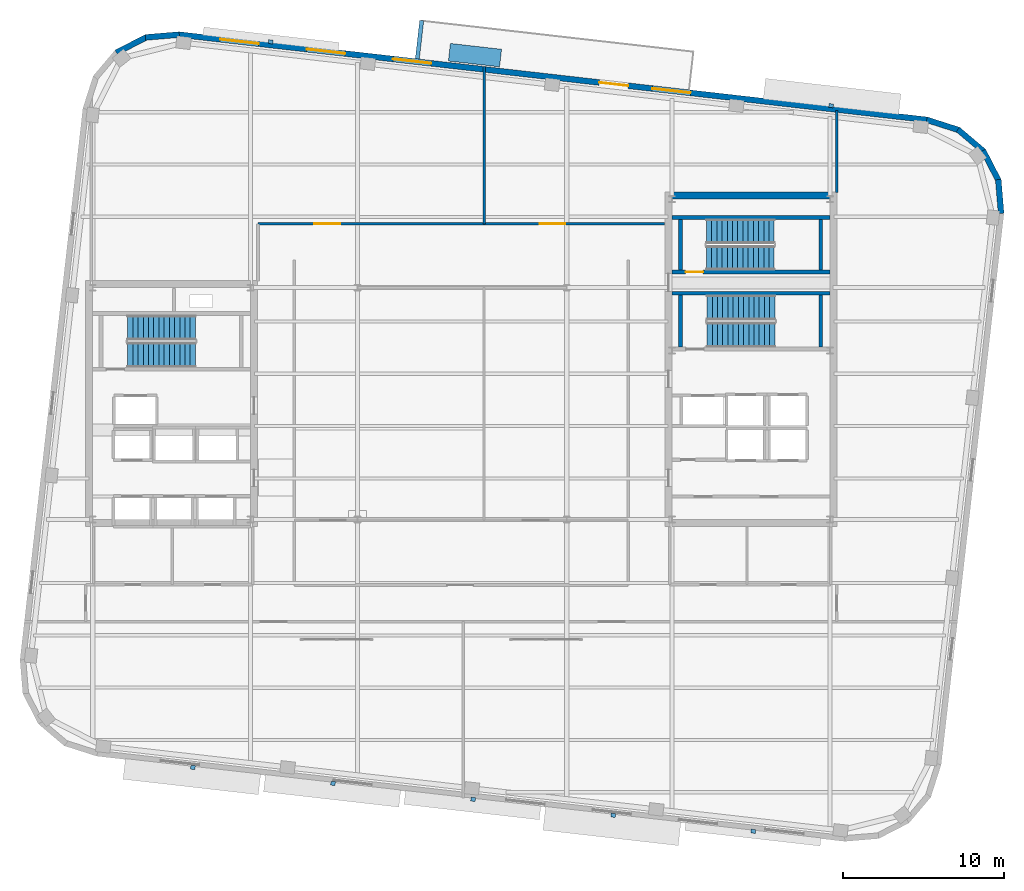
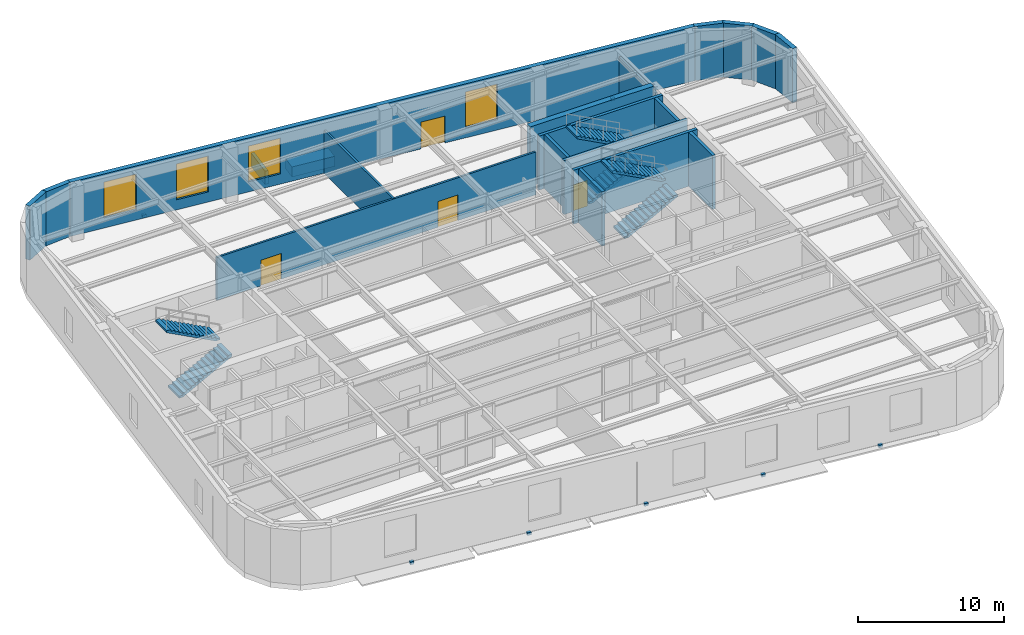
# One storey, part 10 of 15: 19 walls, 8 discrete accessories, 6 stair flights, 4 doors, 4 windows, 8 openings, 3 elements without a shape of their own.
"""IFC4 building model written with IfcOpenShell, lengths in metres."""

import ifcopenshell
import ifcopenshell.guid

model = None  # the IFC model being written
_history = None  # IfcOwnerHistory: only IFC2X3 demands one
_inside = {}  # id of a spatial element -> (the spatial element, [elements in it])
_under = {}  # id of a project, library or spatial element -> (it, [spatial elements below it])
_declared = {}  # id of a project -> (the project, [libraries it declares])
_typed = {}  # id of a type object -> (the type object, [elements of that type])
_made_of = {}  # id of a material, layer set ... -> (it, [elements and type objects made of it])


def new_model(schema):
    """Start an empty IFC model of exactly this schema.

    Asked for "IFC4X3", IfcOpenShell would pick the latest addendum, in which some entities
    have other attributes; the version numbers below select the first issue.
    IFC2X3 requires an IfcOwnerHistory on every rooted entity: one is made here for all.
    """
    global model, _history
    if schema == "IFC4X3":
        model = ifcopenshell.file(schema_version=(4, 3, 0, 0))
    else:
        model = ifcopenshell.file(schema=schema)
    _inside.clear()
    _under.clear()
    _declared.clear()
    _typed.clear()
    _made_of.clear()
    _history = None
    if model.schema == "IFC2X3":
        org = make("IfcOrganization", Name="unknown")
        user = make(
            "IfcPersonAndOrganization",
            ThePerson=make("IfcPerson", FamilyName="unknown"),
            TheOrganization=org,
        )
        app = make(
            "IfcApplication",
            ApplicationDeveloper=org,
            Version="unknown",
            ApplicationFullName="unknown",
            ApplicationIdentifier="unknown",
        )
        _history = make(
            "IfcOwnerHistory",
            OwningUser=user,
            OwningApplication=app,
            ChangeAction="ADDED",
            CreationDate=0,
        )
    return model


def make(cls, **values):
    """One entity of the class cls with the attributes given. An attribute that is None is left unset."""
    return model.create_entity(
        cls, **{name: value for name, value in values.items() if value is not None}
    )


def rooted(cls, **values):
    """An entity with a GlobalId (a new one), such as an element, a storey or a relation."""
    return make(cls, GlobalId=ifcopenshell.guid.new(), OwnerHistory=_history, **values)


def si_unit(unit_type, name, prefix=None):
    """IfcSIUnit, for example si_unit("LENGTHUNIT", "METRE", prefix="MILLI")."""
    return make("IfcSIUnit", UnitType=unit_type, Prefix=prefix, Name=name)


def assignment(units):
    """IfcUnitAssignment: the units of a project."""
    return None if units is None else make("IfcUnitAssignment", Units=units)


def point(xyz):
    """IfcCartesianPoint."""
    return None if xyz is None else make("IfcCartesianPoint", Coordinates=xyz)


def direction(xyz):
    """IfcDirection."""
    return None if xyz is None else make("IfcDirection", DirectionRatios=xyz)


def frame(location, z_axis=None, x_axis=None):
    """IfcAxis2Placement3D, a coordinate frame: its origin and axes. An axis left out is left unset."""
    return make(
        "IfcAxis2Placement3D",
        Location=point(location),
        Axis=direction(z_axis),
        RefDirection=direction(x_axis),
    )


def frame_2d(location, x_axis=None):
    """IfcAxis2Placement2D, a coordinate frame in the plane: its origin and x axis."""
    return make(
        "IfcAxis2Placement2D", Location=point(location), RefDirection=direction(x_axis)
    )


def origin():
    """The frame at (0, 0, 0) with its axes left unset."""
    return frame((0.0, 0.0, 0.0))


def origin_2d():
    """The frame at (0, 0) in the plane with its x axis left unset."""
    return frame_2d((0.0, 0.0))


def place(relative_to, where):
    """IfcLocalPlacement: puts the frame where relative to a parent placement (None: the world)."""
    return make(
        "IfcLocalPlacement", PlacementRelTo=relative_to, RelativePlacement=where
    )


def context(
    kind, dimensions, precision=None, world=None, true_north=None, identifier=None
):
    """IfcGeometricRepresentationContext, for example the 3D "Model" context."""
    return make(
        "IfcGeometricRepresentationContext",
        ContextIdentifier=identifier,
        ContextType=kind,
        CoordinateSpaceDimension=dimensions,
        Precision=precision,
        WorldCoordinateSystem=world,
        TrueNorth=true_north,
    )


def subcontext(parent, identifier, kind, view, scale=None):
    """IfcGeometricRepresentationSubContext, for example "Body" below "Model"."""
    return make(
        "IfcGeometricRepresentationSubContext",
        ContextIdentifier=identifier,
        ContextType=kind,
        ParentContext=parent,
        TargetScale=scale,
        TargetView=view,
    )


def project(units=None, contexts=None):
    """IfcProject with its units and contexts."""
    return rooted(
        "IfcProject",
        Name="project",
        RepresentationContexts=contexts,
        UnitsInContext=assignment(units),
    )


def spatial(cls, under=None, at=None, **own):
    """A site, building, storey or space (cls), placed at a placement, below another one or the project."""
    s = rooted(cls, ObjectPlacement=at, **own)
    if under is not None:
        _under.setdefault(under.id(), (under, []))[1].append(s)
    return s


def polyline(points):
    """IfcPolyline through the points."""
    return make("IfcPolyline", Points=[point(p) for p in points])


def profile(cls, at=None, kind="AREA", **sizes):
    """A parametric profile (cls). Its sizes go by their IFC names, for example OverallWidth=200.0."""
    return make(cls, ProfileType=kind, Position=at, **sizes)


def rectangle(**sizes):
    """IfcRectangleProfileDef."""
    return profile("IfcRectangleProfileDef", **sizes)


def outline(outer, holes=None, kind="AREA"):
    """IfcArbitraryClosedProfileDef: a profile drawn as a closed curve; with holes, ...WithVoids."""
    if holes is None:
        return make("IfcArbitraryClosedProfileDef", ProfileType=kind, OuterCurve=outer)
    return make(
        "IfcArbitraryProfileDefWithVoids",
        ProfileType=kind,
        OuterCurve=outer,
        InnerCurves=holes,
    )


def extrude(swept, where, along, depth):
    """IfcExtrudedAreaSolid: the profile swept, set in the frame where, extruded along a direction by depth."""
    return make(
        "IfcExtrudedAreaSolid",
        SweptArea=swept,
        Position=where,
        ExtrudedDirection=direction(along),
        Depth=depth,
    )


def shape(context_of_items, identifier, shape_type, items):
    """IfcShapeRepresentation: the items that make up one representation, for example the "Body"."""
    return make(
        "IfcShapeRepresentation",
        ContextOfItems=context_of_items,
        RepresentationIdentifier=identifier,
        RepresentationType=shape_type,
        Items=items,
    )


def material(Name=None, Category=None):
    """IfcMaterial."""
    return make("IfcMaterial", Name=Name, Category=Category)


def layer(
    of_material, thickness, ventilated=None, Name=None, Category=None, Priority=None
):
    """IfcMaterialLayer: one layer of a wall or slab, of a material (None: an air gap)."""
    return make(
        "IfcMaterialLayer",
        Material=of_material,
        LayerThickness=thickness,
        IsVentilated=ventilated,
        Name=Name,
        Category=Category,
        Priority=Priority,
    )


def layer_set(layers, Name=None):
    """IfcMaterialLayerSet."""
    return make("IfcMaterialLayerSet", MaterialLayers=layers, LayerSetName=Name)


def made_of(thing, what):
    """Note that an element or type object is made of a material, layer set ...; save() writes the relation."""
    if what is not None:
        _made_of.setdefault(what.id(), (what, []))[1].append(thing)
    return thing


def type_object(cls, material=None, **own):
    """A type object (cls), such as IfcWallType, which elements share."""
    return made_of(rooted(cls, **own), material)


def element(
    cls,
    number,
    at=None,
    inside=None,
    cuts=None,
    type_object=None,
    material=None,
    context=None,
    identifier="Body",
    shape_type=None,
    held_by="IfcProductDefinitionShape",
    body=None,
    shapes=None,
    **own,
):
    """One element of the class cls, such as IfcWall. Its Tag is "e" and its number.

    at: its placement. inside: the storey or other place that contains it. cuts: it is an
    opening in that element (IfcRelVoidsElement). A single representation is given by context,
    identifier, shape_type and body (its items); several are given by shapes. held_by: the class
    of the entity that holds the representations. save() writes the other relations.
    """
    e = rooted(cls, Tag="e%d" % number, ObjectPlacement=at, **own)
    if body is not None:
        shapes = [shape(context, identifier, shape_type, body)]
    if shapes is not None:
        e.Representation = make(held_by, Representations=shapes)
    if inside is not None:
        _inside.setdefault(inside.id(), (inside, []))[1].append(e)
    if cuts is not None:
        rooted(
            "IfcRelVoidsElement", RelatingBuildingElement=cuts, RelatedOpeningElement=e
        )
    if type_object is not None:
        _typed.setdefault(type_object.id(), (type_object, []))[1].append(e)
    return made_of(e, material)


def fill(opening, filler):
    """IfcRelFillsElement: the door or window that sits in an opening."""
    return rooted(
        "IfcRelFillsElement",
        RelatingOpeningElement=opening,
        RelatedBuildingElement=filler,
    )


def aggregate(whole, parts):
    """IfcRelAggregates: a whole, such as a stair, and the parts it consists of."""
    return rooted("IfcRelAggregates", RelatingObject=whole, RelatedObjects=parts)


def save(model, path):
    """Write the relations noted so far, then the file.

    IfcRelAggregates (storeys below a building ...), IfcRelContainedInSpatialStructure (elements
    in a storey), IfcRelDefinesByType, IfcRelAssociatesMaterial and IfcRelDeclares: one each for
    every whole, place, type object, material and project.
    """
    for whole, parts in _under.values():
        aggregate(whole, parts)
    for where, things in _inside.values():
        rooted(
            "IfcRelContainedInSpatialStructure",
            RelatedElements=things,
            RelatingStructure=where,
        )
    for kind, things in _typed.values():
        rooted("IfcRelDefinesByType", RelatedObjects=things, RelatingType=kind)
    for what, things in _made_of.values():
        rooted("IfcRelAssociatesMaterial", RelatedObjects=things, RelatingMaterial=what)
    for by, libraries in _declared.values():
        rooted("IfcRelDeclares", RelatingContext=by, RelatedDefinitions=libraries)
    model.write(path)


model = new_model("IFC4")

# Units and contexts
model_context = context("Model", 3, precision=1e-05, world=origin(), true_north=direction((0.0, 1.0)))
body_context = subcontext(model_context, "Body", "Model", "MODEL_VIEW")
ifc_project = project(units=[si_unit("LENGTHUNIT", "METRE"), si_unit("AREAUNIT", "SQUARE_METRE"), si_unit("VOLUMEUNIT", "CUBIC_METRE"), si_unit("PLANEANGLEUNIT", "RADIAN"), si_unit("MASSUNIT", "GRAM", prefix="KILO")], contexts=[model_context])

# Site, building, storey
site_placement = place(None, origin())
site = spatial("IfcSite", under=ifc_project, at=site_placement, CompositionType="ELEMENT")
building_placement = place(site_placement, origin())
building = spatial("IfcBuilding", under=site, at=building_placement, Name="Kolvaren Arena Tower", CompositionType="ELEMENT")
storey_placement = place(building_placement, frame((0.0, 0.0, 216.14990234375)))
storey = spatial("IfcBuildingStorey", under=building, at=storey_placement, Name="L52", CompositionType="ELEMENT", Elevation=216.14990234375)

# Wall, openings, doors
ifc_material_1 = material(Name="Gypsum board acoustic assembly", Category="gypsum")
ifc_layer_1 = layer(ifc_material_1, 0.159912109375)
ifc_layer_set_1 = layer_set([ifc_layer_1], Name="Gypsum board acoustic assembly")
wall_type_1 = type_object("IfcWallType", Name="CORR-160", PredefinedType="PARTITIONING", material=ifc_layer_set_1)
wall_1_placement = place(storey_placement, frame((24.820068359375, 37.820068359375, 0.0), z_axis=(0.0, 0.0, 1.0), x_axis=(1.0, 0.0, 0.0)))
wall_1 = element("IfcWall", 1, at=wall_1_placement, inside=storey, type_object=wall_type_1, Name="Interior Partition Wall (L52)", PredefinedType="PARTITIONING", context=body_context, shape_type="SweptSolid", body=[
    extrude(rectangle(XDim=25.260009765625, YDim=0.159912109375, at=frame_2d((12.6298828125, 0.0))), origin(), (0.0, 0.0, 1.0), 3.590087890625),
])
opening_1_placement = place(wall_1_placement, frame((3.5, 0.0, 0.0)))
opening_1 = element("IfcOpeningElement", 2, at=opening_1_placement, cuts=wall_1, Name="Opening D06", PredefinedType="OPENING", context=body_context, shape_type="SweptSolid", body=[
    extrude(rectangle(XDim=1.60009765625, YDim=2.14990234375, at=frame_2d((0.800048828125, 1.074951171875))), frame((0.0, 0.08984375, 0.0), z_axis=(0.0, -1.0, 0.0), x_axis=(1.0, 0.0, 0.0)), (0.0, 0.0, 1.0), 0.179931640625),
])
opening_2_placement = place(wall_1_placement, frame((17.5, 0.0, 0.0)))
opening_2 = element("IfcOpeningElement", 3, at=opening_2_placement, cuts=wall_1, Name="Opening D06", PredefinedType="OPENING", context=body_context, shape_type="SweptSolid", body=[
    extrude(rectangle(XDim=1.60009765625, YDim=2.14990234375, at=frame_2d((0.800048828125, 1.074951171875))), frame((0.0, 0.08984375, 0.0), z_axis=(0.0, -1.0, 0.0), x_axis=(1.0, 0.0, 0.0)), (0.0, 0.0, 1.0), 0.179931640625),
])
ifc_material_2 = material(Name="Glazed acoustic boardroom double door", Category="aluminium")
door_type_1 = type_object("IfcDoorType", Name="DOOR-MT-160", OperationType="DOUBLE_DOOR_SINGLE_SWING", PredefinedType="DOOR", material=ifc_material_2)
door_1_placement = place(opening_1_placement, origin())
door_1 = element("IfcDoor", 4, at=door_1_placement, inside=storey, type_object=door_type_1, Name="Wintergarden Door (L52)", OperationType="DOUBLE_DOOR_SINGLE_SWING", OverallHeight=2.14990234375, OverallWidth=1.60009765625, PredefinedType="DOOR", context=body_context, shape_type="SweptSolid", body=[
    extrude(rectangle(XDim=1.60009765625, YDim=2.14990234375, at=frame_2d((0.800048828125, 1.074951171875))), frame((0.0, 0.02490234375, 0.0), z_axis=(0.0, -1.0, 0.0), x_axis=(1.0, 0.0, 0.0)), (0.0, 0.0, 1.0), 0.050048828125),
])
fill(opening_1, door_1)
door_2_placement = place(opening_2_placement, origin())
door_2 = element("IfcDoor", 5, at=door_2_placement, inside=storey, type_object=door_type_1, Name="Catering Pantry Door (L52)", OperationType="DOUBLE_DOOR_SINGLE_SWING", OverallHeight=2.14990234375, OverallWidth=1.60009765625, PredefinedType="DOOR", context=body_context, shape_type="SweptSolid", body=[
    extrude(rectangle(XDim=1.60009765625, YDim=2.14990234375, at=frame_2d((0.800048828125, 1.074951171875))), frame((0.0, 0.02490234375, 0.0), z_axis=(0.0, -1.0, 0.0), x_axis=(1.0, 0.0, 0.0)), (0.0, 0.0, 1.0), 0.050048828125),
])
fill(opening_2, door_2)

# Walls
wall_2_placement = place(storey_placement, frame((38.8701171875, 37.820068359375, 0.0), z_axis=(0.0, 0.0, 1.0), x_axis=(0.0, 1.0, 0.0)))
element("IfcWall", 6, at=wall_2_placement, inside=storey, type_object=wall_type_1, Name="Interior Partition Wall (L52)", PredefinedType="PARTITIONING", context=body_context, shape_type="SweptSolid", body=[
    extrude(rectangle(XDim=9.773681640625, YDim=0.159912109375, at=frame_2d((4.88671875, 0.0))), origin(), (0.0, 0.0, 1.0), 3.590087890625),
])
wall_3_placement = place(storey_placement, frame((60.780029296875, 39.75, 0.0), z_axis=(0.0, 0.0, 1.0), x_axis=(0.0, 1.0, 0.0)))
element("IfcWall", 7, at=wall_3_placement, inside=storey, type_object=wall_type_1, Name="Interior Partition Wall (L52)", PredefinedType="PARTITIONING", context=body_context, shape_type="SweptSolid", body=[
    extrude(rectangle(XDim=5.105712890625, YDim=0.159912109375, at=frame_2d((2.552734375, 0.0))), origin(), (0.0, 0.0, 1.0), 3.590087890625),
])
ifc_material_3 = material(Name="Concrete 55 MPa", Category="concrete")
ifc_layer_2 = layer(ifc_material_3, 0.449951171875)
ifc_layer_set_2 = layer_set([ifc_layer_2], Name="Concrete 55 MPa")
wall_type_2 = type_object("IfcWallType", Name="CWALL-450", PredefinedType="SHEAR", material=ifc_layer_set_2)
wall_4_placement = place(storey_placement, frame((50.550048828125, 39.574951171875, -0.449951171875), z_axis=(0.0, 0.0, 1.0), x_axis=(1.0, 0.0, 0.0)))
element("IfcWall", 8, at=wall_4_placement, inside=storey, type_object=wall_type_2, Name="Core Shear Wall EC-NORTH (L52)", PredefinedType="SHEAR", context=body_context, shape_type="SweptSolid", body=[
    extrude(rectangle(XDim=9.800048828125, YDim=0.449951171875, at=frame_2d((4.89990234375, 0.0))), origin(), (0.0, 0.0, 1.0), 4.97998046875),
])
ifc_material_4 = material(Name="Precast concrete C50/60", Category="concrete")
ifc_layer_3 = layer(ifc_material_4, 0.360107421875)
ifc_layer_set_3 = layer_set([ifc_layer_3], Name="Precast concrete C50/60")
wall_type_3 = type_object("IfcWallType", Name="EXT-PIER2", PredefinedType="SOLIDWALL", material=ifc_layer_set_3)
wall_5_placement = place(storey_placement, frame((70.813720703125, 40.563720703125, 0.0), z_axis=(0.0, 0.0, 1.0), x_axis=(0.082853678144, -0.996561723135, 0.0)))
element("IfcWall", 9, at=wall_5_placement, inside=storey, type_object=wall_type_3, Name="Exterior Precast Masonry-Frame Wall (L52)", PredefinedType="SOLIDWALL", context=body_context, shape_type="SweptSolid", body=[
    extrude(rectangle(XDim=2.10693359375, YDim=0.360107421875, at=frame_2d((1.053466796875, 0.0))), origin(), (0.0, 0.0, 1.0), 4.530029296875),
])
for number, where, z_axis, x_axis, name in (
    (10, (69.868408203125, 42.369384765625, 0.0), (0.0, 0.0, 1.0), (0.457887222333, -0.889010287693, 0.0), "Exterior Precast Masonry-Frame Wall (L52)"),
    (11, (68.303955078125, 43.67578125, 0.0), (0.0, 0.0, 1.0), (0.763192878975, -0.646170743289, 0.0), "Exterior Precast Masonry-Frame Wall (L52)"),
    (12, (66.358642578125, 44.283935546875, 0.0), (0.0, 0.0, 1.0), (0.952403965565, -0.304838787518, 0.0), "Exterior Precast Masonry-Frame Wall (L52)"),
):
    element("IfcWall", number, at=place(storey_placement, frame(where, z_axis=z_axis, x_axis=x_axis)), inside=storey, type_object=wall_type_3, Name=name, PredefinedType="SOLIDWALL", context=body_context, shape_type="SweptSolid", body=[
        extrude(rectangle(XDim=2.107177734375, YDim=0.360107421875, at=frame_2d((1.0537109375, 0.0))), origin(), (0.0, 0.0, 1.0), 4.530029296875),
    ])

# Wall, openings, door, windows
wall_6_placement = place(storey_placement, frame((19.89404296875, 49.57470703125, 0.0), z_axis=(0.0, 0.0, 1.0), x_axis=(0.993571439016, -0.113206870688, 0.0)))
wall_6 = element("IfcWall", 13, at=wall_6_placement, inside=storey, type_object=wall_type_3, Name="Exterior Precast Masonry-Frame Wall (L52)", PredefinedType="SOLIDWALL", context=body_context, shape_type="SweptSolid", body=[
    extrude(rectangle(XDim=46.800048828125, YDim=0.360107421875, at=frame_2d((23.39990234375, 0.0))), origin(), (0.0, 0.0, 1.0), 4.530029296875),
])
opening_3_placement = place(wall_6_placement, frame((26.300048828125, 0.0, 0.0)))
opening_3 = element("IfcOpeningElement", 14, at=opening_3_placement, cuts=wall_6, Name="Opening D10", PredefinedType="OPENING", context=body_context, shape_type="SweptSolid", body=[
    extrude(rectangle(XDim=1.800048828125, YDim=2.25, at=frame_2d((0.89990234375, 1.125))), frame((0.0, 0.18994140625, 0.0), z_axis=(0.0, -1.0, 0.0), x_axis=(1.0, 0.0, 0.0)), (0.0, 0.0, 1.0), 0.380126953125),
])
opening_4_placement = place(wall_6_placement, frame((2.60009765625, 0.0, 0.85009765625)))
opening_4 = element("IfcOpeningElement", 15, at=opening_4_placement, cuts=wall_6, Name="Opening W05", PredefinedType="OPENING", context=body_context, shape_type="SweptSolid", body=[
    extrude(rectangle(XDim=2.39990234375, YDim=3.0, at=frame_2d((1.199951171875, 1.5))), frame((0.0, 0.18994140625, 0.0), z_axis=(0.0, -1.0, 0.0), x_axis=(1.0, 0.0, 0.0)), (0.0, 0.0, 1.0), 0.380126953125),
])
opening_5_placement = place(wall_6_placement, frame((8.0, 0.0, 0.85009765625)))
opening_5 = element("IfcOpeningElement", 16, at=opening_5_placement, cuts=wall_6, Name="Opening W05", PredefinedType="OPENING", context=body_context, shape_type="SweptSolid", body=[
    extrude(rectangle(XDim=2.39990234375, YDim=3.0, at=frame_2d((1.199951171875, 1.5))), frame((0.0, 0.18994140625, 0.0), z_axis=(0.0, -1.0, 0.0), x_axis=(1.0, 0.0, 0.0)), (0.0, 0.0, 1.0), 0.380126953125),
])
opening_6_placement = place(wall_6_placement, frame((13.39990234375, 0.0, 0.85009765625)))
opening_6 = element("IfcOpeningElement", 17, at=opening_6_placement, cuts=wall_6, Name="Opening W05", PredefinedType="OPENING", context=body_context, shape_type="SweptSolid", body=[
    extrude(rectangle(XDim=2.39990234375, YDim=3.0, at=frame_2d((1.199951171875, 1.5))), frame((0.0, 0.18994140625, 0.0), z_axis=(0.0, -1.0, 0.0), x_axis=(1.0, 0.0, 0.0)), (0.0, 0.0, 1.0), 0.380126953125),
])
opening_7_placement = place(wall_6_placement, frame((29.60009765625, 0.0, 0.85009765625)))
opening_7 = element("IfcOpeningElement", 18, at=opening_7_placement, cuts=wall_6, Name="Opening W05", PredefinedType="OPENING", context=body_context, shape_type="SweptSolid", body=[
    extrude(rectangle(XDim=2.39990234375, YDim=3.0, at=frame_2d((1.199951171875, 1.5))), frame((0.0, 0.18994140625, 0.0), z_axis=(0.0, -1.0, 0.0), x_axis=(1.0, 0.0, 0.0)), (0.0, 0.0, 1.0), 0.380126953125),
])
ifc_material_5 = material(Name="Thermally broken glazed terrace door", Category="aluminium")
door_type_2 = type_object("IfcDoorType", Name="DOOR-TR-180", OperationType="DOUBLE_DOOR_SINGLE_SWING", PredefinedType="DOOR", material=ifc_material_5)
door_3_placement = place(opening_3_placement, origin())
door_3 = element("IfcDoor", 19, at=door_3_placement, inside=storey, type_object=door_type_2, Name="Setback Roof Terrace Access Door (L52)", OperationType="DOUBLE_DOOR_SINGLE_SWING", OverallHeight=2.25, OverallWidth=1.800048828125, PredefinedType="DOOR", context=body_context, shape_type="SweptSolid", body=[
    extrude(rectangle(XDim=1.800048828125, YDim=2.25, at=frame_2d((0.89990234375, 1.125))), frame((0.0, 0.02490234375, 0.0), z_axis=(0.0, -1.0, 0.0), x_axis=(1.0, 0.0, 0.0)), (0.0, 0.0, 1.0), 0.050048828125),
])
fill(opening_3, door_3)
ifc_material_6 = material(Name="Triple-glazed sky-lobby tall window", Category="glass")
window_type = type_object("IfcWindowType", Name="WIN-SKY-A", PartitioningType="DOUBLE_PANEL_VERTICAL", PredefinedType="WINDOW", material=ifc_material_6)
window_1_placement = place(opening_4_placement, origin())
window_1 = element("IfcWindow", 20, at=window_1_placement, inside=storey, type_object=window_type, Name="Punched Precast-Pier Window (L52)", OverallHeight=3.0, OverallWidth=2.39990234375, PartitioningType="DOUBLE_PANEL_VERTICAL", PredefinedType="WINDOW", context=body_context, shape_type="SweptSolid", body=[
    extrude(rectangle(XDim=2.39990234375, YDim=3.0, at=frame_2d((1.199951171875, 1.5))), frame((0.0, 0.030029296875, 0.0), z_axis=(0.0, -1.0, 0.0), x_axis=(1.0, 0.0, 0.0)), (0.0, 0.0, 1.0), 0.06005859375),
])
fill(opening_4, window_1)
window_2_placement = place(opening_5_placement, origin())
window_2 = element("IfcWindow", 21, at=window_2_placement, inside=storey, type_object=window_type, Name="Punched Precast-Pier Window (L52)", OverallHeight=3.0, OverallWidth=2.39990234375, PartitioningType="DOUBLE_PANEL_VERTICAL", PredefinedType="WINDOW", context=body_context, shape_type="SweptSolid", body=[
    extrude(rectangle(XDim=2.39990234375, YDim=3.0, at=frame_2d((1.199951171875, 1.5))), frame((0.0, 0.030029296875, 0.0), z_axis=(0.0, -1.0, 0.0), x_axis=(1.0, 0.0, 0.0)), (0.0, 0.0, 1.0), 0.06005859375),
])
fill(opening_5, window_2)
window_3_placement = place(opening_6_placement, origin())
window_3 = element("IfcWindow", 22, at=window_3_placement, inside=storey, type_object=window_type, Name="Punched Precast-Pier Window (L52)", OverallHeight=3.0, OverallWidth=2.39990234375, PartitioningType="DOUBLE_PANEL_VERTICAL", PredefinedType="WINDOW", context=body_context, shape_type="SweptSolid", body=[
    extrude(rectangle(XDim=2.39990234375, YDim=3.0, at=frame_2d((1.199951171875, 1.5))), frame((0.0, 0.030029296875, 0.0), z_axis=(0.0, -1.0, 0.0), x_axis=(1.0, 0.0, 0.0)), (0.0, 0.0, 1.0), 0.06005859375),
])
fill(opening_6, window_3)
window_4_placement = place(opening_7_placement, origin())
window_4 = element("IfcWindow", 23, at=window_4_placement, inside=storey, type_object=window_type, Name="Punched Precast-Pier Window (L52)", OverallHeight=3.0, OverallWidth=2.39990234375, PartitioningType="DOUBLE_PANEL_VERTICAL", PredefinedType="WINDOW", context=body_context, shape_type="SweptSolid", body=[
    extrude(rectangle(XDim=2.39990234375, YDim=3.0, at=frame_2d((1.199951171875, 1.5))), frame((0.0, 0.030029296875, 0.0), z_axis=(0.0, -1.0, 0.0), x_axis=(1.0, 0.0, 0.0)), (0.0, 0.0, 1.0), 0.06005859375),
])
fill(opening_7, window_4)

# Walls
for number, where, z_axis, x_axis, name in (
    (24, (17.82958984375, 49.3994140625, 0.0), (0.0, 0.0, 1.0), (0.996562518477, 0.082844111233, 0.0), "Exterior Precast Masonry-Frame Wall (L52)"),
    (25, (16.02392578125, 48.4541015625, 0.0), (0.0, 0.0, 1.0), (0.889010287693, 0.457887222333, 0.0), "Exterior Precast Masonry-Frame Wall (L52)"),
):
    element("IfcWall", number, at=place(storey_placement, frame(where, z_axis=z_axis, x_axis=x_axis)), inside=storey, type_object=wall_type_3, Name=name, PredefinedType="SOLIDWALL", context=body_context, shape_type="SweptSolid", body=[
        extrude(rectangle(XDim=2.107177734375, YDim=0.360107421875, at=frame_2d((1.0537109375, 0.0))), origin(), (0.0, 0.0, 1.0), 4.530029296875),
    ])
ifc_material_7 = material(Name="Precast concrete C45/55", Category="concrete")
ifc_layer_4 = layer(ifc_material_7, 0.25)
ifc_layer_set_4 = layer_set([ifc_layer_4], Name="Precast concrete C45/55")
wall_type_4 = type_object("IfcWallType", Name="PARAP-250", PredefinedType="PARAPET", material=ifc_layer_set_4)
wall_7_placement = place(storey_placement, frame((34.71875, 48.066650390625, 0.0), z_axis=(0.0, 0.0, 1.0), x_axis=(0.113222385986, 0.993569671091, 0.0)))
element("IfcWall", 26, at=wall_7_placement, inside=storey, type_object=wall_type_4, Name="Terrace Side Parapet Wall (L52)", PredefinedType="PARAPET", context=body_context, shape_type="SweptSolid", body=[
    extrude(rectangle(XDim=2.39990234375, YDim=0.25, at=frame_2d((1.199951171875, 0.0))), origin(), (0.0, 0.0, 1.0), 1.1201171875),
])
ifc_material_8 = material(Name="Concrete 45 MPa", Category="concrete")
ifc_layer_5 = layer(ifc_material_8, 0.25)
ifc_layer_set_5 = layer_set([ifc_layer_5], Name="Concrete 45 MPa")
wall_type_5 = type_object("IfcWallType", Name="SHAFT-250", PredefinedType="SOLIDWALL", material=ifc_layer_set_5)
wall_8_placement = place(storey_placement, frame((50.550048828125, 33.5, 0.0), z_axis=(0.0, 0.0, 1.0), x_axis=(1.0, 0.0, 0.0)))
element("IfcWall", 27, at=wall_8_placement, inside=storey, type_object=wall_type_5, Name="Core Shaft Wall (L52)", PredefinedType="SOLIDWALL", context=body_context, shape_type="SweptSolid", body=[
    extrude(rectangle(XDim=9.800048828125, YDim=0.239990234375, at=frame_2d((4.89990234375, 0.0))), origin(), (0.0, 0.0, 1.0), 4.530029296875),
])
for number, where, z_axis, x_axis, name in (
    (28, (51.06005859375, 30.14990234375, 0.0), (0.0, 0.0, 1.0), (0.0, 1.0, 0.0), "Core Shaft Wall (L52)"),
    (29, (59.780029296875, 30.14990234375, 0.0), (0.0, 0.0, 1.0), (0.0, 1.0, 0.0), "Core Shaft Wall (L52)"),
):
    element("IfcWall", number, at=place(storey_placement, frame(where, z_axis=z_axis, x_axis=x_axis)), inside=storey, type_object=wall_type_5, Name=name, PredefinedType="SOLIDWALL", context=body_context, shape_type="SweptSolid", body=[
        extrude(rectangle(XDim=3.22998046875, YDim=0.239990234375, at=frame_2d((1.614990234375, 0.0))), origin(), (0.0, 0.0, 1.0), 4.530029296875),
    ])

# Wall, opening, door
wall_9_placement = place(storey_placement, frame((60.35009765625, 34.830078125, 0.0), z_axis=(0.0, 0.0, 1.0), x_axis=(-1.0, 0.0, 0.0)))
wall_9 = element("IfcWall", 30, at=wall_9_placement, inside=storey, type_object=wall_type_5, Name="Core Shaft Wall (L52)", PredefinedType="SOLIDWALL", context=body_context, shape_type="SweptSolid", body=[
    extrude(rectangle(XDim=9.800048828125, YDim=0.239990234375, at=frame_2d((4.89990234375, 0.0))), origin(), (0.0, 0.0, 1.0), 4.530029296875),
])
opening_8_placement = place(wall_9_placement, frame((7.8701171875, 0.0, 0.0)))
opening_8 = element("IfcOpeningElement", 31, at=opening_8_placement, cuts=wall_9, Name="Opening D03", PredefinedType="OPENING", context=body_context, shape_type="SweptSolid", body=[
    extrude(rectangle(XDim=1.10009765625, YDim=2.14990234375, at=frame_2d((0.550048828125, 1.074951171875))), frame((0.0, 0.1298828125, 0.0), z_axis=(0.0, -1.0, 0.0), x_axis=(1.0, 0.0, 0.0)), (0.0, 0.0, 1.0), 0.260009765625),
])
ifc_material_9 = material(Name="Fire-rated steel exit stair door", Category="steel")
door_type_3 = type_object("IfcDoorType", Name="DOOR-ST-110", OperationType="NOTDEFINED", PredefinedType="DOOR", material=ifc_material_9)
door_4_placement = place(opening_8_placement, origin())
door_4 = element("IfcDoor", 32, at=door_4_placement, inside=storey, type_object=door_type_3, Name="Stair ST-E2 Fire Door (L52)", OperationType="SINGLE_SWING_LEFT", OverallHeight=2.14990234375, OverallWidth=1.10009765625, PredefinedType="DOOR", context=body_context, shape_type="SweptSolid", body=[
    extrude(rectangle(XDim=1.10009765625, YDim=2.14990234375, at=frame_2d((0.550048828125, 1.074951171875))), frame((0.0, 0.02490234375, 0.0), z_axis=(0.0, -1.0, 0.0), x_axis=(1.0, 0.0, 0.0)), (0.0, 0.0, 1.0), 0.050048828125),
])
fill(opening_8, door_4)

# Walls
wall_10_placement = place(storey_placement, frame((50.550048828125, 38.219970703125, 0.0), z_axis=(0.0, 0.0, 1.0), x_axis=(1.0, 0.0, 0.0)))
element("IfcWall", 33, at=wall_10_placement, inside=storey, type_object=wall_type_5, Name="Core Shaft Wall (L52)", PredefinedType="SOLIDWALL", context=body_context, shape_type="SweptSolid", body=[
    extrude(rectangle(XDim=9.800048828125, YDim=0.239990234375, at=frame_2d((4.89990234375, 0.0))), origin(), (0.0, 0.0, 1.0), 4.530029296875),
])
for number, where, z_axis, x_axis, name in (
    (34, (51.06005859375, 34.949951171875, 0.0), (0.0, 0.0, 1.0), (0.0, 1.0, 0.0), "Core Shaft Wall (L52)"),
    (35, (59.780029296875, 34.949951171875, 0.0), (0.0, 0.0, 1.0), (0.0, 1.0, 0.0), "Core Shaft Wall (L52)"),
):
    element("IfcWall", number, at=place(storey_placement, frame(where, z_axis=z_axis, x_axis=x_axis)), inside=storey, type_object=wall_type_5, Name=name, PredefinedType="SOLIDWALL", context=body_context, shape_type="SweptSolid", body=[
        extrude(rectangle(XDim=3.150146484375, YDim=0.239990234375, at=frame_2d((1.5751953125, 0.0))), origin(), (0.0, 0.0, 1.0), 4.530029296875),
    ])

# Stair, stair flights
stair_type_1 = type_object("IfcStairType", Name="STAIR-CORE-150", PredefinedType="HALF_TURN_STAIR", material=ifc_material_8)
stair_1_placement = place(storey_placement, origin())
stair_1 = element("IfcStair", 36, at=stair_1_placement, inside=storey, type_object=stair_type_1, Name="L52 ST-E2", PredefinedType="HALF_TURN_STAIR")
stair_flight_type_1 = type_object("IfcStairFlightType", Name="FLT-150", PredefinedType="STRAIGHT", material=ifc_material_8)
stair_flight_1_placement = place(storey_placement, frame((52.679931640625, 35.699951171875, 0.0), z_axis=(0.0, 0.0, 1.0), x_axis=(1.0, 0.0, 0.0)))
stair_flight_1 = element("IfcStairFlight", 37, at=stair_flight_1_placement, type_object=stair_flight_type_1, Name="ST-E2 flight 1", NumberOfRisers=14, NumberOfTreads=13, PredefinedType="STRAIGHT", RiserHeight=0.171428571, TreadLength=0.324, context=body_context, shape_type="SweptSolid", body=[
    extrude(outline(polyline([(0.0, 0.0), (0.0, 0.17138671875), (0.323974609375, 0.17138671875), (0.323974609375, 0.3427734375), (0.64794921875, 0.3427734375), (0.64794921875, 0.514404296875), (0.971923828125, 0.514404296875), (0.971923828125, 0.685791015625), (1.2958984375, 0.685791015625), (1.2958984375, 0.857177734375), (1.6201171875, 0.857177734375), (1.6201171875, 1.028564453125), (1.944091796875, 1.028564453125), (1.944091796875, 1.199951171875), (2.26806640625, 1.199951171875), (2.26806640625, 1.371337890625), (2.592041015625, 1.371337890625), (2.592041015625, 1.54296875), (2.916015625, 1.54296875), (2.916015625, 1.71435546875), (3.239990234375, 1.71435546875), (3.239990234375, 1.8857421875), (3.56396484375, 1.8857421875), (3.56396484375, 2.05712890625), (3.887939453125, 2.05712890625), (3.887939453125, 2.228515625), (4.2119140625, 2.228515625), (4.2119140625, 2.39990234375), (4.2119140625, 2.05908203125), (0.320556640625, 0.0), (0.0, 0.0)])), frame((0.0, 0.75, 0.0), z_axis=(0.0, -1.0, 0.0), x_axis=(1.0, 0.0, 0.0)), (0.0, 0.0, 1.0), 1.5),
])
stair_flight_2_placement = place(storey_placement, frame((56.89208984375, 37.35009765625, 2.400146484375), z_axis=(0.0, 0.0, 1.0), x_axis=(-1.0, 0.0, 0.0)))
stair_flight_2 = element("IfcStairFlight", 38, at=stair_flight_2_placement, type_object=stair_flight_type_1, Name="ST-E2 flight 2", NumberOfRisers=14, NumberOfTreads=13, PredefinedType="STRAIGHT", RiserHeight=0.171428571, TreadLength=0.324, context=body_context, shape_type="SweptSolid", body=[
    extrude(outline(polyline([(0.0, 0.0), (0.0, 0.17138671875), (0.323974609375, 0.17138671875), (0.323974609375, 0.3427734375), (0.64794921875, 0.3427734375), (0.64794921875, 0.514404296875), (0.971923828125, 0.514404296875), (0.971923828125, 0.685791015625), (1.2958984375, 0.685791015625), (1.2958984375, 0.857177734375), (1.6201171875, 0.857177734375), (1.6201171875, 1.028564453125), (1.944091796875, 1.028564453125), (1.944091796875, 1.199951171875), (2.26806640625, 1.199951171875), (2.26806640625, 1.371337890625), (2.592041015625, 1.371337890625), (2.592041015625, 1.54296875), (2.916015625, 1.54296875), (2.916015625, 1.71435546875), (3.239990234375, 1.71435546875), (3.239990234375, 1.8857421875), (3.56396484375, 1.8857421875), (3.56396484375, 2.05712890625), (3.887939453125, 2.05712890625), (3.887939453125, 2.228515625), (4.2119140625, 2.228515625), (4.2119140625, 2.39990234375), (4.2119140625, 2.05908203125), (0.320556640625, 0.0), (0.0, 0.0)])), frame((0.0, 0.75, 0.0), z_axis=(0.0, -1.0, 0.0), x_axis=(1.0, 0.0, 0.0)), (0.0, 0.0, 1.0), 1.5),
])
aggregate(stair_1, [stair_flight_1, stair_flight_2])

stair_type_2 = type_object("IfcStairType", Name="STAIR-CORE-165", PredefinedType="HALF_TURN_STAIR", material=ifc_material_8)
stair_2_placement = place(storey_placement, origin())
stair_2 = element("IfcStair", 39, at=stair_2_placement, inside=storey, type_object=stair_type_2, Name="L52 ST-W1", PredefinedType="HALF_TURN_STAIR")
stair_flight_type_2 = type_object("IfcStairFlightType", Name="FLT-165", PredefinedType="STRAIGHT", material=ifc_material_8)
stair_flight_3_placement = place(storey_placement, frame((16.719970703125, 29.669921875, 0.0), z_axis=(0.0, 0.0, 1.0), x_axis=(1.0, 0.0, 0.0)))
stair_flight_3 = element("IfcStairFlight", 40, at=stair_flight_3_placement, type_object=stair_flight_type_2, Name="ST-W1 flight 1", NumberOfRisers=14, NumberOfTreads=13, PredefinedType="STRAIGHT", RiserHeight=0.171428571, TreadLength=0.324, context=body_context, shape_type="SweptSolid", body=[
    extrude(outline(polyline([(0.0, 0.0), (0.0, 0.17138671875), (0.323974609375, 0.17138671875), (0.323974609375, 0.3427734375), (0.64794921875, 0.3427734375), (0.64794921875, 0.514404296875), (0.971923828125, 0.514404296875), (0.971923828125, 0.685791015625), (1.2958984375, 0.685791015625), (1.2958984375, 0.857177734375), (1.6201171875, 0.857177734375), (1.6201171875, 1.028564453125), (1.944091796875, 1.028564453125), (1.944091796875, 1.199951171875), (2.26806640625, 1.199951171875), (2.26806640625, 1.371337890625), (2.592041015625, 1.371337890625), (2.592041015625, 1.54296875), (2.916015625, 1.54296875), (2.916015625, 1.71435546875), (3.239990234375, 1.71435546875), (3.239990234375, 1.8857421875), (3.56396484375, 1.8857421875), (3.56396484375, 2.05712890625), (3.887939453125, 2.05712890625), (3.887939453125, 2.228515625), (4.2119140625, 2.228515625), (4.2119140625, 2.39990234375), (4.2119140625, 2.05908203125), (0.320556640625, 0.0), (0.0, 0.0)])), frame((0.0, 0.77001953125, 0.0), z_axis=(0.0, -1.0, 0.0), x_axis=(1.0, 0.0, 0.0)), (0.0, 0.0, 1.0), 1.5400390625),
])
stair_flight_4_placement = place(storey_placement, frame((20.931884765625, 31.360107421875, 2.400146484375), z_axis=(0.0, 0.0, 1.0), x_axis=(-1.0, 0.0, 0.0)))
stair_flight_4 = element("IfcStairFlight", 41, at=stair_flight_4_placement, type_object=stair_flight_type_2, Name="ST-W1 flight 2", NumberOfRisers=14, NumberOfTreads=13, PredefinedType="STRAIGHT", RiserHeight=0.171428571, TreadLength=0.324, context=body_context, shape_type="SweptSolid", body=[
    extrude(outline(polyline([(0.0, 0.0), (0.0, 0.17138671875), (0.323974609375, 0.17138671875), (0.323974609375, 0.3427734375), (0.64794921875, 0.3427734375), (0.64794921875, 0.514404296875), (0.971923828125, 0.514404296875), (0.971923828125, 0.685791015625), (1.2958984375, 0.685791015625), (1.2958984375, 0.857177734375), (1.6201171875, 0.857177734375), (1.6201171875, 1.028564453125), (1.944091796875, 1.028564453125), (1.944091796875, 1.199951171875), (2.26806640625, 1.199951171875), (2.26806640625, 1.371337890625), (2.592041015625, 1.371337890625), (2.592041015625, 1.54296875), (2.916015625, 1.54296875), (2.916015625, 1.71435546875), (3.239990234375, 1.71435546875), (3.239990234375, 1.8857421875), (3.56396484375, 1.8857421875), (3.56396484375, 2.05712890625), (3.887939453125, 2.05712890625), (3.887939453125, 2.228515625), (4.2119140625, 2.228515625), (4.2119140625, 2.39990234375), (4.2119140625, 2.05908203125), (0.320556640625, 0.0), (0.0, 0.0)])), frame((0.0, 0.77001953125, 0.0), z_axis=(0.0, -1.0, 0.0), x_axis=(1.0, 0.0, 0.0)), (0.0, 0.0, 1.0), 1.5400390625),
])
aggregate(stair_2, [stair_flight_3, stair_flight_4])

stair_3_placement = place(storey_placement, origin())
stair_3 = element("IfcStair", 42, at=stair_3_placement, inside=storey, type_object=stair_type_2, Name="L52 ST-E1", PredefinedType="HALF_TURN_STAIR")
stair_flight_5_placement = place(storey_placement, frame((52.719970703125, 30.919921875, 0.0), z_axis=(0.0, 0.0, 1.0), x_axis=(1.0, 0.0, 0.0)))
stair_flight_5 = element("IfcStairFlight", 43, at=stair_flight_5_placement, type_object=stair_flight_type_2, Name="ST-E1 flight 1", NumberOfRisers=14, NumberOfTreads=13, PredefinedType="STRAIGHT", RiserHeight=0.171428571, TreadLength=0.324, context=body_context, shape_type="SweptSolid", body=[
    extrude(outline(polyline([(0.0, 0.0), (0.0, 0.17138671875), (0.323974609375, 0.17138671875), (0.323974609375, 0.3427734375), (0.64794921875, 0.3427734375), (0.64794921875, 0.514404296875), (0.971923828125, 0.514404296875), (0.971923828125, 0.685791015625), (1.2958984375, 0.685791015625), (1.2958984375, 0.857177734375), (1.6201171875, 0.857177734375), (1.6201171875, 1.028564453125), (1.944091796875, 1.028564453125), (1.944091796875, 1.199951171875), (2.26806640625, 1.199951171875), (2.26806640625, 1.371337890625), (2.592041015625, 1.371337890625), (2.592041015625, 1.54296875), (2.916015625, 1.54296875), (2.916015625, 1.71435546875), (3.239990234375, 1.71435546875), (3.239990234375, 1.8857421875), (3.56396484375, 1.8857421875), (3.56396484375, 2.05712890625), (3.887939453125, 2.05712890625), (3.887939453125, 2.228515625), (4.2119140625, 2.228515625), (4.2119140625, 2.39990234375), (4.2119140625, 2.05908203125), (0.320556640625, 0.0), (0.0, 0.0)])), frame((0.0, 0.77001953125, 0.0), z_axis=(0.0, -1.0, 0.0), x_axis=(1.0, 0.0, 0.0)), (0.0, 0.0, 1.0), 1.5400390625),
])
stair_flight_6_placement = place(storey_placement, frame((56.931884765625, 32.610107421875, 2.400146484375), z_axis=(0.0, 0.0, 1.0), x_axis=(-1.0, 0.0, 0.0)))
stair_flight_6 = element("IfcStairFlight", 44, at=stair_flight_6_placement, type_object=stair_flight_type_2, Name="ST-E1 flight 2", NumberOfRisers=14, NumberOfTreads=13, PredefinedType="STRAIGHT", RiserHeight=0.171428571, TreadLength=0.324, context=body_context, shape_type="SweptSolid", body=[
    extrude(outline(polyline([(0.0, 0.0), (0.0, 0.17138671875), (0.323974609375, 0.17138671875), (0.323974609375, 0.3427734375), (0.64794921875, 0.3427734375), (0.64794921875, 0.514404296875), (0.971923828125, 0.514404296875), (0.971923828125, 0.685791015625), (1.2958984375, 0.685791015625), (1.2958984375, 0.857177734375), (1.6201171875, 0.857177734375), (1.6201171875, 1.028564453125), (1.944091796875, 1.028564453125), (1.944091796875, 1.199951171875), (2.26806640625, 1.199951171875), (2.26806640625, 1.371337890625), (2.592041015625, 1.371337890625), (2.592041015625, 1.54296875), (2.916015625, 1.54296875), (2.916015625, 1.71435546875), (3.239990234375, 1.71435546875), (3.239990234375, 1.8857421875), (3.56396484375, 1.8857421875), (3.56396484375, 2.05712890625), (3.887939453125, 2.05712890625), (3.887939453125, 2.228515625), (4.2119140625, 2.228515625), (4.2119140625, 2.39990234375), (4.2119140625, 2.05908203125), (0.320556640625, 0.0), (0.0, 0.0)])), frame((0.0, 0.77001953125, 0.0), z_axis=(0.0, -1.0, 0.0), x_axis=(1.0, 0.0, 0.0)), (0.0, 0.0, 1.0), 1.5400390625),
])
aggregate(stair_3, [stair_flight_5, stair_flight_6])

# Discrete accessories
ifc_material_10 = material(Name="Stainless steel facade support bracket", Category="steel")
discrete_accessory_type_1 = type_object("IfcDiscreteAccessoryType", Name="ACC-BRKT-1", PredefinedType="BRACKET", material=ifc_material_10)
for number, where, z_axis, x_axis, name in (
    (45, (25.60986328125, 49.12451171875, -0.1796875), (0.0, 0.0, 1.0), (0.993571658098, -0.113204947878, 0.0), "Sunshade Support Bracket (L52)"),
    (46, (60.424560546875, 45.157958984375, -0.1796875), (0.0, 0.0, 1.0), (0.993571658098, -0.113204947878, 0.0), "Sunshade Support Bracket (L52)"),
    (47, (55.590087890625, 0.075439453125, -0.1796875), (0.0, 0.0, 1.0), (-0.993571658098, 0.113204947878, 0.0), "Sunshade Support Bracket (L52)"),
    (48, (46.886474609375, 1.067138671875, -0.1796875), (0.0, 0.0, 1.0), (-0.993571658098, 0.113204947878, 0.0), "Sunshade Support Bracket (L52)"),
    (49, (38.1826171875, 2.05859375, -0.1796875), (0.0, 0.0, 1.0), (-0.993571658098, 0.113204947878, 0.0), "Sunshade Support Bracket (L52)"),
    (50, (29.47900390625, 3.05029296875, -0.1796875), (0.0, 0.0, 1.0), (-0.993571658098, 0.113204947878, 0.0), "Sunshade Support Bracket (L52)"),
    (51, (20.775390625, 4.0419921875, -0.1796875), (0.0, 0.0, 1.0), (-0.993571658098, 0.113204947878, 0.0), "Sunshade Support Bracket (L52)"),
):
    element("IfcDiscreteAccessory", number, at=place(storey_placement, frame(where, z_axis=z_axis, x_axis=x_axis)), inside=storey, type_object=discrete_accessory_type_1, Name=name, PredefinedType="BRACKET", context=body_context, shape_type="SweptSolid", body=[
        extrude(rectangle(XDim=0.280029296875, YDim=0.239990234375, at=origin_2d()), origin(), (0.0, 0.0, 1.0), 0.239990234375),
    ])
ifc_material_11 = material(Name="Precast concrete C45/55 structural planter with planting soil", Category="concrete")
discrete_accessory_type_2 = type_object("IfcDiscreteAccessoryType", Name="ACC-PLNT-1", PredefinedType="USERDEFINED", material=ifc_material_11)
discrete_accessory_placement = place(storey_placement, frame((38.2998046875, 48.296630859375, 0.0), z_axis=(0.0, 0.0, 1.0), x_axis=(0.993571855677, -0.113203213768, 0.0)))
element("IfcDiscreteAccessory", 52, at=discrete_accessory_placement, inside=storey, type_object=discrete_accessory_type_2, Name="Planted Terrace Soil Planter (L52)", ObjectType="PLANTER", PredefinedType="USERDEFINED", context=body_context, shape_type="SweptSolid", body=[
    extrude(rectangle(XDim=3.199951171875, YDim=1.10009765625, at=origin_2d()), origin(), (0.0, 0.0, 1.0), 0.85009765625),
])

save(model, "model.ifc")
